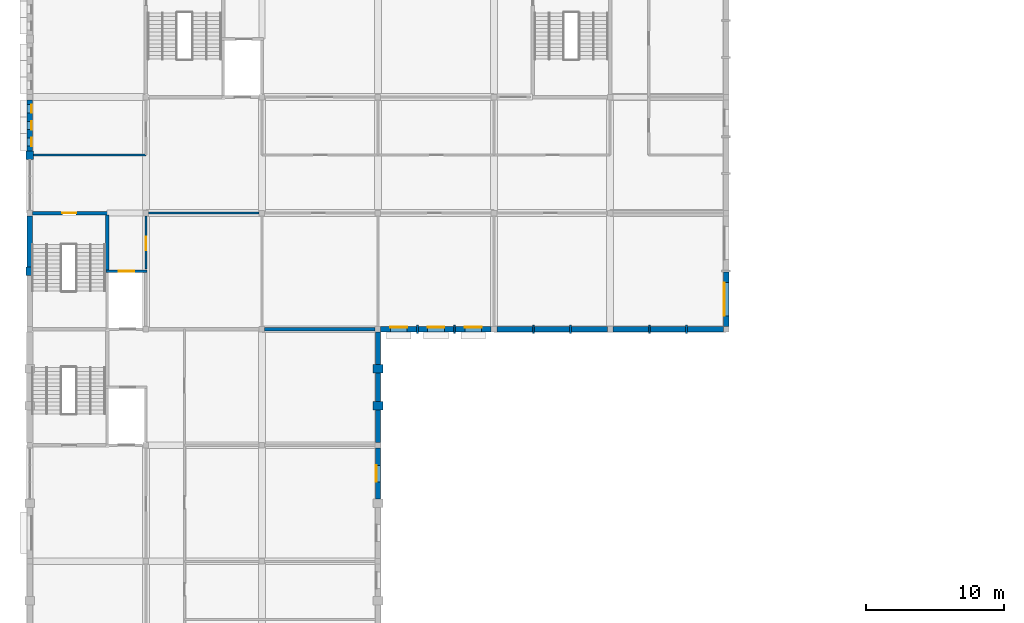
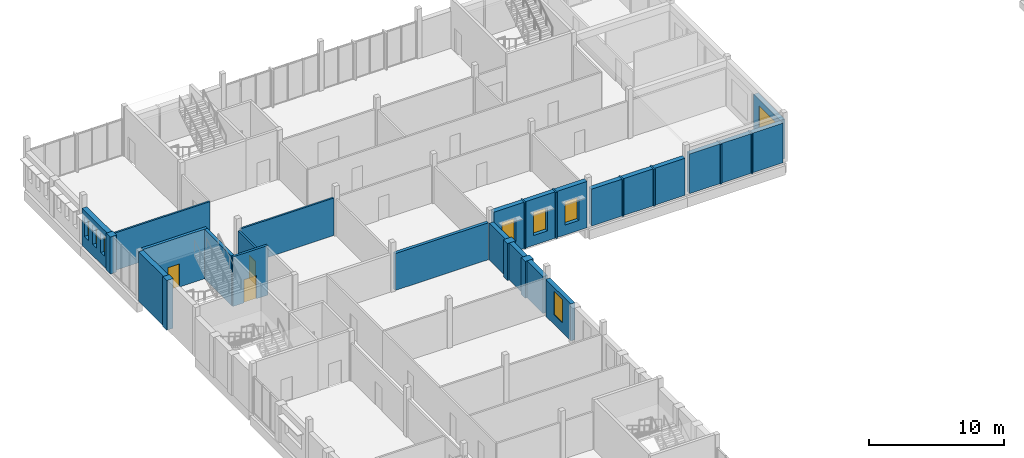
# One storey, part 17 of 22: 33 walls, 8 windows, 3 doors, 11 openings.
"""IFC4 building model written with IfcOpenShell, lengths in metres."""

from ifc_helpers import new_model, si_unit, direction, frame, frame_2d, origin, place, context, subcontext, project, spatial, rectangle, extrude, material, layer, layer_set, type_object, element, fill, save


model = new_model("IFC4")

# Units and contexts
model_context = context("Model", 3, precision=1e-05, world=origin(), true_north=direction((0.0, 1.0)))
body_context = subcontext(model_context, "Body", "Model", "MODEL_VIEW")
ifc_project = project(units=[si_unit("LENGTHUNIT", "METRE"), si_unit("AREAUNIT", "SQUARE_METRE"), si_unit("VOLUMEUNIT", "CUBIC_METRE"), si_unit("PLANEANGLEUNIT", "RADIAN"), si_unit("MASSUNIT", "GRAM", prefix="KILO")], contexts=[model_context])

# Site, building, storey
site_placement = place(None, origin())
site = spatial("IfcSite", under=ifc_project, at=site_placement, CompositionType="ELEMENT")
building_placement = place(site_placement, origin())
building = spatial("IfcBuilding", under=site, at=building_placement, Name="Fescue Hill Polytechnic", CompositionType="ELEMENT")
storey_placement = place(building_placement, frame((0.0, 0.0, 27.0)))
storey = spatial("IfcBuildingStorey", under=building, at=storey_placement, Name="L06", CompositionType="ELEMENT", Elevation=27.0)

# Walls
ifc_material_1 = material(Name="Clay brick masonry", Category="masonry")
ifc_layer_1 = layer(ifc_material_1, 0.550048828125)
ifc_layer_set_1 = layer_set([ifc_layer_1], Name="Clay brick masonry")
wall_type_1 = type_object("IfcWallType", Name="Brick pier 600x550", PredefinedType="SOLIDWALL", material=ifc_layer_set_1)
wall_1_placement = place(storey_placement, frame((0.0, 122.10009765625, 0.0), z_axis=(0.0, 0.0, 1.0), x_axis=(0.0, -1.0, 0.0)))
element("IfcWall", 1, at=wall_1_placement, inside=storey, type_object=wall_type_1, Name="PR-L06-V5-16", PredefinedType="SOLIDWALL", context=body_context, shape_type="SweptSolid", body=[
    extrude(rectangle(XDim=0.60009765625, YDim=0.550048828125, at=frame_2d((0.300048828125, 0.0))), origin(), (0.0, 0.0, 1.0), 3.35009765625),
])
wall_2_placement = place(storey_placement, frame((0.0, 113.699951171875, 0.0), z_axis=(0.0, 0.0, 1.0), x_axis=(0.0, -1.0, 0.0)))
element("IfcWall", 2, at=wall_2_placement, inside=storey, type_object=wall_type_1, Name="PR-L06-V5-17", PredefinedType="SOLIDWALL", context=body_context, shape_type="SweptSolid", body=[
    extrude(rectangle(XDim=0.599853515625, YDim=0.550048828125, at=frame_2d((0.2998046875, 0.0))), origin(), (0.0, 0.0, 1.0), 4.5),
])

# Wall, opening, door
ifc_material_2 = material(Name="Concrete 40 MPa", Category="concrete")
ifc_layer_2 = layer(ifc_material_2, 0.25)
ifc_layer_set_2 = layer_set([ifc_layer_2], Name="Concrete 40 MPa")
wall_type_2 = type_object("IfcWallType", Name="Core wall 250", PredefinedType="SHEAR", material=ifc_layer_set_2)
wall_3_placement = place(storey_placement, frame((0.199951171875, 117.60009765625, 0.0), z_axis=(0.0, 0.0, 1.0), x_axis=(1.0, 0.0, 0.0)))
wall_3 = element("IfcWall", 3, at=wall_3_placement, inside=storey, type_object=wall_type_2, Name="CW-L06-ST-V5-1-21", PredefinedType="SHEAR", context=body_context, shape_type="SweptSolid", body=[
    extrude(rectangle(XDim=5.525146484375, YDim=0.25, at=frame_2d((2.7626953125, 0.0))), origin(), (0.0, 0.0, 1.0), 4.5),
])
opening_1_placement = place(wall_3_placement, frame((2.14990234375, 0.0, 0.0)))
opening_1 = element("IfcOpeningElement", 4, at=opening_1_placement, cuts=wall_3, Name="Opening D6029", PredefinedType="OPENING", context=body_context, shape_type="SweptSolid", body=[
    extrude(rectangle(XDim=1.0, YDim=2.10009765625, at=frame_2d((0.5, 1.050048828125))), frame((0.0, 0.135009765625, 0.0), z_axis=(0.0, -1.0, 0.0), x_axis=(1.0, 0.0, 0.0)), (0.0, 0.0, 1.0), 0.27001953125),
])
ifc_material_3 = material(Name="Steel fire door", Category="steel")
door_type_1 = type_object("IfcDoorType", Name="Door single swing 1000x2100 stair fire rated", OperationType="NOTDEFINED", PredefinedType="DOOR", material=ifc_material_3)
door_1_placement = place(opening_1_placement, origin())
door_1 = element("IfcDoor", 5, at=door_1_placement, inside=storey, type_object=door_type_1, Name="L06 ST-V5-1 stair door", OperationType="SINGLE_SWING_RIGHT", OverallHeight=2.10009765625, OverallWidth=1.0, PredefinedType="DOOR", context=body_context, shape_type="SweptSolid", body=[
    extrude(rectangle(XDim=1.0, YDim=2.10009765625, at=frame_2d((0.5, 1.050048828125))), frame((0.0, 0.02490234375, 0.0), z_axis=(0.0, -1.0, 0.0), x_axis=(1.0, 0.0, 0.0)), (0.0, 0.0, 1.0), 0.050048828125),
])
fill(opening_1, door_1)

# Walls
wall_4_placement = place(storey_placement, frame((5.60009765625, 113.409912109375, 0.0), z_axis=(0.0, 0.0, 1.0), x_axis=(0.0, 1.0, 0.0)))
element("IfcWall", 6, at=wall_4_placement, inside=storey, type_object=wall_type_2, Name="CW-L06-ST-V5-1-41", PredefinedType="SHEAR", context=body_context, shape_type="SweptSolid", body=[
    extrude(rectangle(XDim=4.065185546875, YDim=0.25, at=frame_2d((2.03271484375, 0.0))), origin(), (0.0, 0.0, 1.0), 4.5),
])
ifc_material_4 = material(Name="Gypsum board partition")
ifc_layer_3 = layer(ifc_material_4, 0.14990234375)
ifc_layer_set_3 = layer_set([ifc_layer_3], Name="Gypsum board partition")
wall_type_3 = type_object("IfcWallType", Name="Corridor wall 150 EI 45", PredefinedType="PARTITIONING", material=ifc_layer_set_3)
wall_5_placement = place(storey_placement, frame((8.60009765625, 117.60009765625, 0.0), z_axis=(0.0, 0.0, 1.0), x_axis=(1.0, 0.0, 0.0)))
element("IfcWall", 7, at=wall_5_placement, inside=storey, type_object=wall_type_3, Name="IW-L06-022", PredefinedType="PARTITIONING", context=body_context, shape_type="SweptSolid", body=[
    extrude(rectangle(XDim=8.0, YDim=0.14990234375, at=frame_2d((4.0, 0.0))), origin(), (0.0, 0.0, 1.0), 3.39990234375),
])
wall_6_placement = place(storey_placement, frame((0.27490234375, 121.800048828125, 0.0), z_axis=(0.0, 0.0, 1.0), x_axis=(1.0, 0.0, 0.0)))
element("IfcWall", 8, at=wall_6_placement, inside=storey, type_object=wall_type_3, Name="IW-L06-027", PredefinedType="PARTITIONING", context=body_context, shape_type="SweptSolid", body=[
    extrude(rectangle(XDim=8.125, YDim=0.14990234375, at=frame_2d((4.0625, 0.0))), origin(), (0.0, 0.0, 1.0), 3.39990234375),
])

# Wall, openings, windows
ifc_layer_4 = layer(ifc_material_1, 0.419921875)
ifc_layer_set_4 = layer_set([ifc_layer_4], Name="Clay brick masonry")
wall_type_4 = type_object("IfcWallType", Name="Exterior wall buff-red brick cavity 420", PredefinedType="SOLIDWALL", material=ifc_layer_set_4)
wall_7_placement = place(storey_placement, frame((0.0, 125.800048828125, 0.0), z_axis=(0.0, 0.0, 1.0), x_axis=(0.0, -1.0, 0.0)))
wall_7 = element("IfcWall", 9, at=wall_7_placement, inside=storey, type_object=wall_type_4, Name="EW-L06-V5-19", PredefinedType="SOLIDWALL", context=body_context, shape_type="SweptSolid", body=[
    extrude(rectangle(XDim=3.699951171875, YDim=0.419921875, at=frame_2d((1.85009765625, 0.0))), origin(), (0.0, 0.0, 1.0), 3.35009765625),
])
opening_2_placement = place(wall_7_placement, frame((0.35009765625, 0.0, 1.0)))
opening_2 = element("IfcOpeningElement", 10, at=opening_2_placement, cuts=wall_7, Name="Opening W6R", PredefinedType="OPENING", context=body_context, shape_type="SweptSolid", body=[
    extrude(rectangle(XDim=0.60009765625, YDim=1.800048828125, at=frame_2d((0.300048828125, 0.89990234375))), frame((0.0, 0.219970703125, 0.0), z_axis=(0.0, -1.0, 0.0), x_axis=(1.0, 0.0, 0.0)), (0.0, 0.0, 1.0), 0.43994140625),
])
opening_3_placement = place(wall_7_placement, frame((1.550048828125, 0.0, 1.0)))
opening_3 = element("IfcOpeningElement", 11, at=opening_3_placement, cuts=wall_7, Name="Opening W6R", PredefinedType="OPENING", context=body_context, shape_type="SweptSolid", body=[
    extrude(rectangle(XDim=0.60009765625, YDim=1.800048828125, at=frame_2d((0.300048828125, 0.89990234375))), frame((0.0, 0.219970703125, 0.0), z_axis=(0.0, -1.0, 0.0), x_axis=(1.0, 0.0, 0.0)), (0.0, 0.0, 1.0), 0.43994140625),
])
opening_4_placement = place(wall_7_placement, frame((2.75, 0.0, 1.0)))
opening_4 = element("IfcOpeningElement", 12, at=opening_4_placement, cuts=wall_7, Name="Opening W6R", PredefinedType="OPENING", context=body_context, shape_type="SweptSolid", body=[
    extrude(rectangle(XDim=0.60009765625, YDim=1.800048828125, at=frame_2d((0.300048828125, 0.89990234375))), frame((0.0, 0.219970703125, 0.0), z_axis=(0.0, -1.0, 0.0), x_axis=(1.0, 0.0, 0.0)), (0.0, 0.0, 1.0), 0.43994140625),
])
ifc_material_5 = material(Name="Powder-coated aluminium and glass", Category="aluminium")
window_type_1 = type_object("IfcWindowType", Name="Window slot 600x1800", PartitioningType="SINGLE_PANEL", PredefinedType="WINDOW", material=ifc_material_5)
window_1_placement = place(opening_2_placement, origin())
window_1 = element("IfcWindow", 13, at=window_1_placement, inside=storey, type_object=window_type_1, Name="WN-L06-V5-10", OverallHeight=1.800048828125, OverallWidth=0.60009765625, PartitioningType="SINGLE_PANEL", PredefinedType="WINDOW", context=body_context, shape_type="SweptSolid", body=[
    extrude(rectangle(XDim=0.60009765625, YDim=1.800048828125, at=frame_2d((0.300048828125, 0.89990234375))), frame((0.0, 0.150146484375, 0.0), z_axis=(0.0, -1.0, 0.0), x_axis=(1.0, 0.0, 0.0)), (0.0, 0.0, 1.0), 0.06005859375),
])
fill(opening_2, window_1)
window_2_placement = place(opening_3_placement, origin())
window_2 = element("IfcWindow", 14, at=window_2_placement, inside=storey, type_object=window_type_1, Name="WN-L06-V5-11", OverallHeight=1.800048828125, OverallWidth=0.60009765625, PartitioningType="SINGLE_PANEL", PredefinedType="WINDOW", context=body_context, shape_type="SweptSolid", body=[
    extrude(rectangle(XDim=0.60009765625, YDim=1.800048828125, at=frame_2d((0.300048828125, 0.89990234375))), frame((0.0, 0.150146484375, 0.0), z_axis=(0.0, -1.0, 0.0), x_axis=(1.0, 0.0, 0.0)), (0.0, 0.0, 1.0), 0.06005859375),
])
fill(opening_3, window_2)
window_3_placement = place(opening_4_placement, origin())
window_3 = element("IfcWindow", 15, at=window_3_placement, inside=storey, type_object=window_type_1, Name="WN-L06-V5-12", OverallHeight=1.800048828125, OverallWidth=0.60009765625, PartitioningType="SINGLE_PANEL", PredefinedType="WINDOW", context=body_context, shape_type="SweptSolid", body=[
    extrude(rectangle(XDim=0.60009765625, YDim=1.800048828125, at=frame_2d((0.300048828125, 0.89990234375))), frame((0.0, 0.150146484375, 0.0), z_axis=(0.0, -1.0, 0.0), x_axis=(1.0, 0.0, 0.0)), (0.0, 0.0, 1.0), 0.06005859375),
])
fill(opening_4, window_3)

# Wall
ifc_layer_5 = layer(ifc_material_1, 0.419921875)
ifc_layer_set_5 = layer_set([ifc_layer_5], Name="Clay brick masonry")
wall_type_5 = type_object("IfcWallType", Name="Exterior wall buff-red brick cavity 420 load-bearing", PredefinedType="SOLIDWALL", material=ifc_layer_set_5)
wall_8_placement = place(storey_placement, frame((0.0, 117.39990234375, 0.0), z_axis=(0.0, 0.0, 1.0), x_axis=(0.0, -1.0, 0.0)))
element("IfcWall", 16, at=wall_8_placement, inside=storey, type_object=wall_type_5, Name="EW-L06-V5-21", PredefinedType="SOLIDWALL", context=body_context, shape_type="SweptSolid", body=[
    extrude(rectangle(XDim=3.699951171875, YDim=0.419921875, at=frame_2d((1.85009765625, 0.0))), origin(), (0.0, 0.0, 1.0), 4.5),
])

# Wall, opening, window
ifc_layer_6 = layer(ifc_material_1, 0.39990234375)
ifc_layer_set_6 = layer_set([ifc_layer_6], Name="Clay brick masonry")
wall_type_6 = type_object("IfcWallType", Name="Exterior wall clinker brick cavity 400", PredefinedType="SOLIDWALL", material=ifc_layer_set_6)
wall_9_placement = place(storey_placement, frame((50.39990234375, 109.39990234375, 0.0), z_axis=(0.0, 0.0, 1.0), x_axis=(0.0, 1.0, 0.0)))
wall_9 = element("IfcWall", 17, at=wall_9_placement, inside=storey, type_object=wall_type_6, Name="EW-L06-V5-1", PredefinedType="SOLIDWALL", context=body_context, shape_type="SweptSolid", body=[
    extrude(rectangle(XDim=3.940185546875, YDim=0.39990234375, at=frame_2d((1.97021484375, 0.0))), origin(), (0.0, 0.0, 1.0), 3.60009765625),
])
opening_5_placement = place(wall_9_placement, frame((0.77001953125, 0.0, 0.60009765625)))
opening_5 = element("IfcOpeningElement", 18, at=opening_5_placement, cuts=wall_9, Name="Opening W4", PredefinedType="OPENING", context=body_context, shape_type="SweptSolid", body=[
    extrude(rectangle(XDim=2.39990234375, YDim=2.39990234375, at=frame_2d((1.199951171875, 1.199951171875))), frame((0.0, 0.2099609375, 0.0), z_axis=(0.0, -1.0, 0.0), x_axis=(1.0, 0.0, 0.0)), (0.0, 0.0, 1.0), 0.419921875),
])
window_type_2 = type_object("IfcWindowType", Name="Window library tall 2400x2400", PartitioningType="DOUBLE_PANEL_VERTICAL", PredefinedType="WINDOW", material=ifc_material_5)
window_4_placement = place(opening_5_placement, origin())
window_4 = element("IfcWindow", 19, at=window_4_placement, inside=storey, type_object=window_type_2, Name="WN-L06-V5-1", OverallHeight=2.39990234375, OverallWidth=2.39990234375, PartitioningType="SINGLE_PANEL", PredefinedType="WINDOW", context=body_context, shape_type="SweptSolid", body=[
    extrude(rectangle(XDim=2.39990234375, YDim=2.39990234375, at=frame_2d((1.199951171875, 1.199951171875))), frame((0.0, 0.159912109375, 0.0), z_axis=(0.0, -1.0, 0.0), x_axis=(1.0, 0.0, 0.0)), (0.0, 0.0, 1.0), 0.06005859375),
])
fill(opening_5, window_4)

wall_10_placement = place(storey_placement, frame((25.39990234375, 109.199951171875, 0.0), z_axis=(0.0, 0.0, 1.0), x_axis=(1.0, 0.0, 0.0)))
wall_10 = element("IfcWall", 20, at=wall_10_placement, inside=storey, type_object=wall_type_6, Name="EW-L06-V5-23", PredefinedType="SOLIDWALL", context=body_context, shape_type="SweptSolid", body=[
    extrude(rectangle(XDim=2.606689453125, YDim=0.39990234375, at=frame_2d((1.30322265625, 0.0))), origin(), (0.0, 0.0, 1.0), 4.199951171875),
])
opening_6_placement = place(wall_10_placement, frame((0.703369140625, 0.0, 0.89990234375)))
opening_6 = element("IfcOpeningElement", 21, at=opening_6_placement, cuts=wall_10, Name="Opening W13", PredefinedType="OPENING", context=body_context, shape_type="SweptSolid", body=[
    extrude(rectangle(XDim=1.199951171875, YDim=2.10009765625, at=frame_2d((0.60009765625, 1.050048828125))), frame((0.0, 0.2099609375, 0.0), z_axis=(0.0, -1.0, 0.0), x_axis=(1.0, 0.0, 0.0)), (0.0, 0.0, 1.0), 0.419921875),
])
window_type_3 = type_object("IfcWindowType", Name="Window cellular office 1200x2100", PartitioningType="SINGLE_PANEL", PredefinedType="WINDOW", material=ifc_material_5)
window_5_placement = place(opening_6_placement, origin())
window_5 = element("IfcWindow", 22, at=window_5_placement, inside=storey, type_object=window_type_3, Name="WN-L06-V5-13", OverallHeight=2.10009765625, OverallWidth=1.199951171875, PartitioningType="SINGLE_PANEL", PredefinedType="WINDOW", context=body_context, shape_type="SweptSolid", body=[
    extrude(rectangle(XDim=1.199951171875, YDim=2.10009765625, at=frame_2d((0.60009765625, 1.050048828125))), frame((0.0, 0.159912109375, 0.0), z_axis=(0.0, -1.0, 0.0), x_axis=(1.0, 0.0, 0.0)), (0.0, 0.0, 1.0), 0.06005859375),
])
fill(opening_6, window_5)

wall_11_placement = place(storey_placement, frame((28.126708984375, 109.199951171875, 0.0), z_axis=(0.0, 0.0, 1.0), x_axis=(1.0, 0.0, 0.0)))
wall_11 = element("IfcWall", 23, at=wall_11_placement, inside=storey, type_object=wall_type_6, Name="EW-L06-V5-24", PredefinedType="SOLIDWALL", context=body_context, shape_type="SweptSolid", body=[
    extrude(rectangle(XDim=2.546630859375, YDim=0.39990234375, at=frame_2d((1.2734375, 0.0))), origin(), (0.0, 0.0, 1.0), 4.199951171875),
])
opening_7_placement = place(wall_11_placement, frame((0.67333984375, 0.0, 0.89990234375)))
opening_7 = element("IfcOpeningElement", 24, at=opening_7_placement, cuts=wall_11, Name="Opening W13", PredefinedType="OPENING", context=body_context, shape_type="SweptSolid", body=[
    extrude(rectangle(XDim=1.199951171875, YDim=2.10009765625, at=frame_2d((0.60009765625, 1.050048828125))), frame((0.0, 0.2099609375, 0.0), z_axis=(0.0, -1.0, 0.0), x_axis=(1.0, 0.0, 0.0)), (0.0, 0.0, 1.0), 0.419921875),
])
window_6_placement = place(opening_7_placement, origin())
window_6 = element("IfcWindow", 25, at=window_6_placement, inside=storey, type_object=window_type_3, Name="WN-L06-V5-14", OverallHeight=2.10009765625, OverallWidth=1.199951171875, PartitioningType="SINGLE_PANEL", PredefinedType="WINDOW", context=body_context, shape_type="SweptSolid", body=[
    extrude(rectangle(XDim=1.199951171875, YDim=2.10009765625, at=frame_2d((0.60009765625, 1.050048828125))), frame((0.0, 0.159912109375, 0.0), z_axis=(0.0, -1.0, 0.0), x_axis=(1.0, 0.0, 0.0)), (0.0, 0.0, 1.0), 0.06005859375),
])
fill(opening_7, window_6)

wall_12_placement = place(storey_placement, frame((30.793212890625, 109.199951171875, 0.0), z_axis=(0.0, 0.0, 1.0), x_axis=(1.0, 0.0, 0.0)))
wall_12 = element("IfcWall", 26, at=wall_12_placement, inside=storey, type_object=wall_type_6, Name="EW-L06-V5-25", PredefinedType="SOLIDWALL", context=body_context, shape_type="SweptSolid", body=[
    extrude(rectangle(XDim=2.606689453125, YDim=0.39990234375, at=frame_2d((1.30322265625, 0.0))), origin(), (0.0, 0.0, 1.0), 4.199951171875),
])
opening_8_placement = place(wall_12_placement, frame((0.703369140625, 0.0, 0.89990234375)))
opening_8 = element("IfcOpeningElement", 27, at=opening_8_placement, cuts=wall_12, Name="Opening W13", PredefinedType="OPENING", context=body_context, shape_type="SweptSolid", body=[
    extrude(rectangle(XDim=1.199951171875, YDim=2.10009765625, at=frame_2d((0.60009765625, 1.050048828125))), frame((0.0, 0.2099609375, 0.0), z_axis=(0.0, -1.0, 0.0), x_axis=(1.0, 0.0, 0.0)), (0.0, 0.0, 1.0), 0.419921875),
])
window_7_placement = place(opening_8_placement, origin())
window_7 = element("IfcWindow", 28, at=window_7_placement, inside=storey, type_object=window_type_3, Name="WN-L06-V5-15", OverallHeight=2.10009765625, OverallWidth=1.199951171875, PartitioningType="SINGLE_PANEL", PredefinedType="WINDOW", context=body_context, shape_type="SweptSolid", body=[
    extrude(rectangle(XDim=1.199951171875, YDim=2.10009765625, at=frame_2d((0.60009765625, 1.050048828125))), frame((0.0, 0.159912109375, 0.0), z_axis=(0.0, -1.0, 0.0), x_axis=(1.0, 0.0, 0.0)), (0.0, 0.0, 1.0), 0.06005859375),
])
fill(opening_8, window_7)

# Walls
wall_13_placement = place(storey_placement, frame((33.800048828125, 109.199951171875, 0.0), z_axis=(0.0, 0.0, 1.0), x_axis=(1.0, 0.0, 0.0)))
element("IfcWall", 29, at=wall_13_placement, inside=storey, type_object=wall_type_6, Name="EW-L06-V5-26", PredefinedType="SOLIDWALL", context=body_context, shape_type="SweptSolid", body=[
    extrude(rectangle(XDim=2.606689453125, YDim=0.39990234375, at=frame_2d((1.30322265625, 0.0))), origin(), (0.0, 0.0, 1.0), 3.35009765625),
])
wall_14_placement = place(storey_placement, frame((36.526611328125, 109.199951171875, 0.0), z_axis=(0.0, 0.0, 1.0), x_axis=(1.0, 0.0, 0.0)))
element("IfcWall", 30, at=wall_14_placement, inside=storey, type_object=wall_type_6, Name="EW-L06-V5-27", PredefinedType="SOLIDWALL", context=body_context, shape_type="SweptSolid", body=[
    extrude(rectangle(XDim=2.546630859375, YDim=0.39990234375, at=frame_2d((1.2734375, 0.0))), origin(), (0.0, 0.0, 1.0), 3.35009765625),
])
wall_15_placement = place(storey_placement, frame((39.193359375, 109.199951171875, 0.0), z_axis=(0.0, 0.0, 1.0), x_axis=(1.0, 0.0, 0.0)))
element("IfcWall", 31, at=wall_15_placement, inside=storey, type_object=wall_type_6, Name="EW-L06-V5-28", PredefinedType="SOLIDWALL", context=body_context, shape_type="SweptSolid", body=[
    extrude(rectangle(XDim=2.606689453125, YDim=0.39990234375, at=frame_2d((1.30322265625, 0.0))), origin(), (0.0, 0.0, 1.0), 3.35009765625),
])
wall_16_placement = place(storey_placement, frame((42.199951171875, 109.199951171875, 0.0), z_axis=(0.0, 0.0, 1.0), x_axis=(1.0, 0.0, 0.0)))
element("IfcWall", 32, at=wall_16_placement, inside=storey, type_object=wall_type_6, Name="EW-L06-V5-29", PredefinedType="SOLIDWALL", context=body_context, shape_type="SweptSolid", body=[
    extrude(rectangle(XDim=2.606689453125, YDim=0.39990234375, at=frame_2d((1.30322265625, 0.0))), origin(), (0.0, 0.0, 1.0), 3.60009765625),
])
wall_17_placement = place(storey_placement, frame((44.9267578125, 109.199951171875, 0.0), z_axis=(0.0, 0.0, 1.0), x_axis=(1.0, 0.0, 0.0)))
element("IfcWall", 33, at=wall_17_placement, inside=storey, type_object=wall_type_6, Name="EW-L06-V5-30", PredefinedType="SOLIDWALL", context=body_context, shape_type="SweptSolid", body=[
    extrude(rectangle(XDim=2.546630859375, YDim=0.39990234375, at=frame_2d((1.2734375, 0.0))), origin(), (0.0, 0.0, 1.0), 3.60009765625),
])
wall_18_placement = place(storey_placement, frame((47.59326171875, 109.199951171875, 0.0), z_axis=(0.0, 0.0, 1.0), x_axis=(1.0, 0.0, 0.0)))
element("IfcWall", 34, at=wall_18_placement, inside=storey, type_object=wall_type_6, Name="EW-L06-V5-31", PredefinedType="SOLIDWALL", context=body_context, shape_type="SweptSolid", body=[
    extrude(rectangle(XDim=2.606689453125, YDim=0.39990234375, at=frame_2d((1.30322265625, 0.0))), origin(), (0.0, 0.0, 1.0), 3.60009765625),
])

# Wall, opening, window
ifc_material_6 = material(Name="Terracotta rainscreen on concrete block", Category="masonry")
ifc_layer_7 = layer(ifc_material_6, 0.3798828125)
ifc_layer_set_7 = layer_set([ifc_layer_7], Name="Terracotta rainscreen on concrete block")
wall_type_7 = type_object("IfcWallType", Name="Exterior wall rainscreen terracotta on blockwork 380", PredefinedType="SOLIDWALL", material=ifc_layer_set_7)
wall_19_placement = place(storey_placement, frame((25.199951171875, 96.89990234375, 0.0), z_axis=(0.0, 0.0, 1.0), x_axis=(0.0, 1.0, 0.0)))
wall_19 = element("IfcWall", 35, at=wall_19_placement, inside=storey, type_object=wall_type_7, Name="EW-L06-V4-15", PredefinedType="SOLIDWALL", context=body_context, shape_type="SweptSolid", body=[
    extrude(rectangle(XDim=3.7001953125, YDim=0.3798828125, at=frame_2d((1.85009765625, 0.0))), origin(), (0.0, 0.0, 1.0), 3.35009765625),
])
opening_9_placement = place(wall_19_placement, frame((1.25, 0.0, 0.89990234375)))
opening_9 = element("IfcOpeningElement", 36, at=opening_9_placement, cuts=wall_19, Name="Opening W13", PredefinedType="OPENING", context=body_context, shape_type="SweptSolid", body=[
    extrude(rectangle(XDim=1.199951171875, YDim=2.10009765625, at=frame_2d((0.60009765625, 1.050048828125))), frame((0.0, 0.199951171875, 0.0), z_axis=(0.0, -1.0, 0.0), x_axis=(1.0, 0.0, 0.0)), (0.0, 0.0, 1.0), 0.39990234375),
])
window_8_placement = place(opening_9_placement, origin())
window_8 = element("IfcWindow", 37, at=window_8_placement, inside=storey, type_object=window_type_3, Name="WN-L06-V4-6", OverallHeight=2.10009765625, OverallWidth=1.199951171875, PartitioningType="SINGLE_PANEL", PredefinedType="WINDOW", context=body_context, shape_type="SweptSolid", body=[
    extrude(rectangle(XDim=1.199951171875, YDim=2.10009765625, at=frame_2d((0.60009765625, 1.050048828125))), frame((0.0, 0.150146484375, 0.0), z_axis=(0.0, -1.0, 0.0), x_axis=(1.0, 0.0, 0.0)), (0.0, 0.0, 1.0), 0.06005859375),
])
fill(opening_9, window_8)

# Walls
wall_20_placement = place(storey_placement, frame((25.199951171875, 101.0, 0.0), z_axis=(0.0, 0.0, 1.0), x_axis=(0.0, 1.0, 0.0)))
element("IfcWall", 38, at=wall_20_placement, inside=storey, type_object=wall_type_7, Name="EW-L06-V4-16", PredefinedType="SOLIDWALL", context=body_context, shape_type="SweptSolid", body=[
    extrude(rectangle(XDim=2.36669921875, YDim=0.3798828125, at=frame_2d((1.183349609375, 0.0))), origin(), (0.0, 0.0, 1.0), 3.35009765625),
])
wall_21_placement = place(storey_placement, frame((25.199951171875, 103.966796875, 0.0), z_axis=(0.0, 0.0, 1.0), x_axis=(0.0, 1.0, 0.0)))
element("IfcWall", 39, at=wall_21_placement, inside=storey, type_object=wall_type_7, Name="EW-L06-V4-17", PredefinedType="SOLIDWALL", context=body_context, shape_type="SweptSolid", body=[
    extrude(rectangle(XDim=2.06640625, YDim=0.3798828125, at=frame_2d((1.033203125, 0.0))), origin(), (0.0, 0.0, 1.0), 3.35009765625),
])
wall_22_placement = place(storey_placement, frame((25.199951171875, 106.63330078125, 0.0), z_axis=(0.0, 0.0, 1.0), x_axis=(0.0, 1.0, 0.0)))
element("IfcWall", 40, at=wall_22_placement, inside=storey, type_object=wall_type_7, Name="EW-L06-V4-18", PredefinedType="SOLIDWALL", context=body_context, shape_type="SweptSolid", body=[
    extrude(rectangle(XDim=2.36669921875, YDim=0.3798828125, at=frame_2d((1.183349609375, 0.0))), origin(), (0.0, 0.0, 1.0), 3.35009765625),
])
ifc_layer_8 = layer(ifc_material_2, 0.699951171875)
ifc_layer_set_8 = layer_set([ifc_layer_8], Name="Concrete 40 MPa")
wall_type_8 = type_object("IfcWallType", Name="Fin wall board-marked 600x700", PredefinedType="SOLIDWALL", material=ifc_layer_set_8)
for number, where, z_axis, x_axis, name in (
    (41, (25.199951171875, 103.36669921875, 0.0), (0.0, 0.0, 1.0), (0.0, 1.0, 0.0), "PR-L06-V4-10"),
    (42, (25.199951171875, 106.033203125, 0.0), (0.0, 0.0, 1.0), (0.0, 1.0, 0.0), "PR-L06-V4-11"),
):
    element("IfcWall", number, at=place(storey_placement, frame(where, z_axis=z_axis, x_axis=x_axis)), inside=storey, type_object=wall_type_8, Name=name, PredefinedType="SOLIDWALL", context=body_context, shape_type="SweptSolid", body=[
        extrude(rectangle(XDim=0.60009765625, YDim=0.699951171875, at=frame_2d((0.300048828125, 0.0))), origin(), (0.0, 0.0, 1.0), 3.35009765625),
    ])

# Wall, opening, door
ifc_layer_9 = layer(ifc_material_2, 0.199951171875)
ifc_layer_set_9 = layer_set([ifc_layer_9], Name="Concrete 40 MPa")
wall_type_9 = type_object("IfcWallType", Name="Lift shaft wall 200", PredefinedType="SHEAR", material=ifc_layer_set_9)
wall_23_placement = place(storey_placement, frame((5.5, 113.39990234375, 0.0), z_axis=(0.0, 0.0, 1.0), x_axis=(1.0, 0.0, 0.0)))
wall_23 = element("IfcWall", 43, at=wall_23_placement, inside=storey, type_object=wall_type_9, Name="CW-L06-LF-V5-1-21", PredefinedType="SHEAR", context=body_context, shape_type="SweptSolid", body=[
    extrude(rectangle(XDim=3.0, YDim=0.199951171875, at=frame_2d((1.5, 0.0))), origin(), (0.0, 0.0, 1.0), 4.5),
])
opening_10_placement = place(wall_23_placement, frame((0.949951171875, 0.0, 0.0)))
opening_10 = element("IfcOpeningElement", 44, at=opening_10_placement, cuts=wall_23, Name="Opening LD6-L06N", PredefinedType="OPENING", context=body_context, shape_type="SweptSolid", body=[
    extrude(rectangle(XDim=1.10009765625, YDim=2.10009765625, at=frame_2d((0.550048828125, 1.050048828125))), frame((0.0, 0.10986328125, 0.0), z_axis=(0.0, -1.0, 0.0), x_axis=(1.0, 0.0, 0.0)), (0.0, 0.0, 1.0), 0.219970703125),
])
ifc_material_7 = material(Name="Stainless steel", Category="steel")
door_type_2 = type_object("IfcDoorType", Name="Lift landing door sliding 1100x2100", OperationType="SLIDING_TO_LEFT", PredefinedType="DOOR", material=ifc_material_7)
door_2_placement = place(opening_10_placement, origin())
door_2 = element("IfcDoor", 45, at=door_2_placement, inside=storey, type_object=door_type_2, Name="L06 LF-V5-1 lift landing door", OperationType="SLIDING_TO_LEFT", OverallHeight=2.10009765625, OverallWidth=1.10009765625, PredefinedType="DOOR", context=body_context, shape_type="SweptSolid", body=[
    extrude(rectangle(XDim=1.10009765625, YDim=2.10009765625, at=frame_2d((0.550048828125, 1.050048828125))), frame((0.0, 0.02490234375, 0.0), z_axis=(0.0, -1.0, 0.0), x_axis=(1.0, 0.0, 0.0)), (0.0, 0.0, 1.0), 0.050048828125),
])
fill(opening_10, door_2)

ifc_layer_10 = layer(ifc_material_4, 0.14990234375)
ifc_layer_set_10 = layer_set([ifc_layer_10], Name="Gypsum board partition")
wall_type_10 = type_object("IfcWallType", Name="Lobby wall 150 EI 60", PredefinedType="PARTITIONING", material=ifc_layer_set_10)
wall_24_placement = place(storey_placement, frame((8.39990234375, 113.550048828125, 0.0), z_axis=(0.0, 0.0, 1.0), x_axis=(0.0, 1.0, 0.0)))
wall_24 = element("IfcWall", 46, at=wall_24_placement, inside=storey, type_object=wall_type_10, Name="IW-L06-038", PredefinedType="PARTITIONING", context=body_context, shape_type="SweptSolid", body=[
    extrude(rectangle(XDim=3.849853515625, YDim=0.14990234375, at=frame_2d((1.9248046875, 0.0))), origin(), (0.0, 0.0, 1.0), 3.39990234375),
])
opening_11_placement = place(wall_24_placement, frame((1.35009765625, 0.0, 0.0)))
opening_11 = element("IfcOpeningElement", 47, at=opening_11_placement, cuts=wall_24, Name="Opening D6014", PredefinedType="OPENING", context=body_context, shape_type="SweptSolid", body=[
    extrude(rectangle(XDim=1.0, YDim=2.10009765625, at=frame_2d((0.5, 1.050048828125))), frame((0.0, 0.0849609375, 0.0), z_axis=(0.0, -1.0, 0.0), x_axis=(1.0, 0.0, 0.0)), (0.0, 0.0, 1.0), 0.169921875),
])
ifc_material_8 = material(Name="Steel", Category="steel")
door_type_3 = type_object("IfcDoorType", Name="Door single swing 1000x2100 FD60", OperationType="SINGLE_SWING_LEFT", PredefinedType="DOOR", material=ifc_material_8)
door_3_placement = place(opening_11_placement, origin())
door_3 = element("IfcDoor", 48, at=door_3_placement, inside=storey, type_object=door_type_3, Name="Door D6014", OperationType="SINGLE_SWING_LEFT", OverallHeight=2.10009765625, OverallWidth=1.0, PredefinedType="DOOR", context=body_context, shape_type="SweptSolid", body=[
    extrude(rectangle(XDim=1.0, YDim=2.10009765625, at=frame_2d((0.5, 1.050048828125))), frame((0.0, 0.02490234375, 0.0), z_axis=(0.0, -1.0, 0.0), x_axis=(1.0, 0.0, 0.0)), (0.0, 0.0, 1.0), 0.050048828125),
])
fill(opening_11, door_3)

# Walls
ifc_material_9 = material(Name="Concrete 35 MPa", Category="concrete")
ifc_layer_11 = layer(ifc_material_9, 0.25)
ifc_layer_set_11 = layer_set([ifc_layer_11], Name="Concrete 35 MPa")
wall_type_11 = type_object("IfcWallType", Name="Party wall 250 concrete EI 120", PredefinedType="SOLIDWALL", material=ifc_layer_set_11)
wall_25_placement = place(storey_placement, frame((17.0, 109.199951171875, 0.0), z_axis=(0.0, 0.0, 1.0), x_axis=(1.0, 0.0, 0.0)))
element("IfcWall", 49, at=wall_25_placement, inside=storey, type_object=wall_type_11, Name="IW-L06-021", PredefinedType="SOLIDWALL", context=body_context, shape_type="SweptSolid", body=[
    extrude(rectangle(XDim=8.0, YDim=0.25, at=frame_2d((4.0, 0.0))), origin(), (0.0, 0.0, 1.0), 3.35009765625),
])
ifc_material_10 = material(Name="Glulam 24f-EX", Category="wood")
ifc_layer_12 = layer(ifc_material_10, 0.60009765625)
ifc_layer_set_12 = layer_set([ifc_layer_12], Name="Glulam 24f-EX")
wall_type_12 = type_object("IfcWallType", Name="Timber fin 120x600", PredefinedType="SOLIDWALL", material=ifc_layer_set_12)
wall_26_placement = place(storey_placement, frame((28.006591796875, 109.199951171875, 0.0), z_axis=(0.0, 0.0, 1.0), x_axis=(1.0, 0.0, 0.0)))
element("IfcWall", 50, at=wall_26_placement, inside=storey, type_object=wall_type_12, Name="PR-L06-V5-18", PredefinedType="SOLIDWALL", context=body_context, shape_type="SweptSolid", body=[
    extrude(rectangle(XDim=0.1201171875, YDim=0.60009765625, at=frame_2d((0.06005859375, 0.0))), origin(), (0.0, 0.0, 1.0), 4.199951171875),
])
wall_27_placement = place(storey_placement, frame((30.67333984375, 109.199951171875, 0.0), z_axis=(0.0, 0.0, 1.0), x_axis=(1.0, 0.0, 0.0)))
element("IfcWall", 51, at=wall_27_placement, inside=storey, type_object=wall_type_12, Name="PR-L06-V5-19", PredefinedType="SOLIDWALL", context=body_context, shape_type="SweptSolid", body=[
    extrude(rectangle(XDim=0.119873046875, YDim=0.60009765625, at=frame_2d((0.06005859375, 0.0))), origin(), (0.0, 0.0, 1.0), 4.199951171875),
])
wall_28_placement = place(storey_placement, frame((36.40673828125, 109.199951171875, 0.0), z_axis=(0.0, 0.0, 1.0), x_axis=(1.0, 0.0, 0.0)))
element("IfcWall", 52, at=wall_28_placement, inside=storey, type_object=wall_type_12, Name="PR-L06-V5-20", PredefinedType="SOLIDWALL", context=body_context, shape_type="SweptSolid", body=[
    extrude(rectangle(XDim=0.119873046875, YDim=0.60009765625, at=frame_2d((0.06005859375, 0.0))), origin(), (0.0, 0.0, 1.0), 3.35009765625),
])
wall_29_placement = place(storey_placement, frame((39.0732421875, 109.199951171875, 0.0), z_axis=(0.0, 0.0, 1.0), x_axis=(1.0, 0.0, 0.0)))
element("IfcWall", 53, at=wall_29_placement, inside=storey, type_object=wall_type_12, Name="PR-L06-V5-21", PredefinedType="SOLIDWALL", context=body_context, shape_type="SweptSolid", body=[
    extrude(rectangle(XDim=0.1201171875, YDim=0.60009765625, at=frame_2d((0.06005859375, 0.0))), origin(), (0.0, 0.0, 1.0), 3.35009765625),
])
wall_30_placement = place(storey_placement, frame((44.806640625, 109.199951171875, 0.0), z_axis=(0.0, 0.0, 1.0), x_axis=(1.0, 0.0, 0.0)))
element("IfcWall", 54, at=wall_30_placement, inside=storey, type_object=wall_type_12, Name="PR-L06-V5-22", PredefinedType="SOLIDWALL", context=body_context, shape_type="SweptSolid", body=[
    extrude(rectangle(XDim=0.1201171875, YDim=0.60009765625, at=frame_2d((0.06005859375, 0.0))), origin(), (0.0, 0.0, 1.0), 3.60009765625),
])
wall_31_placement = place(storey_placement, frame((47.473388671875, 109.199951171875, 0.0), z_axis=(0.0, 0.0, 1.0), x_axis=(1.0, 0.0, 0.0)))
element("IfcWall", 55, at=wall_31_placement, inside=storey, type_object=wall_type_12, Name="PR-L06-V5-23", PredefinedType="SOLIDWALL", context=body_context, shape_type="SweptSolid", body=[
    extrude(rectangle(XDim=0.119873046875, YDim=0.60009765625, at=frame_2d((0.06005859375, 0.0))), origin(), (0.0, 0.0, 1.0), 3.60009765625),
])

save(model, "model.ifc")
